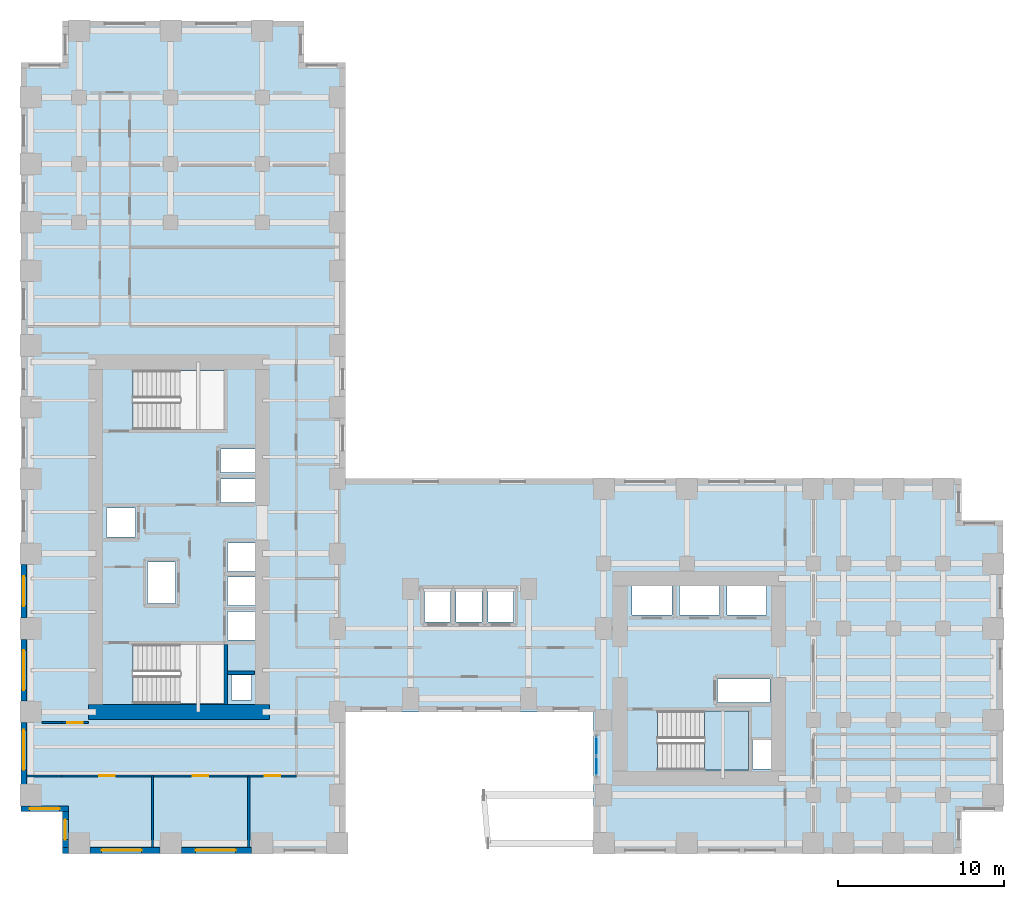
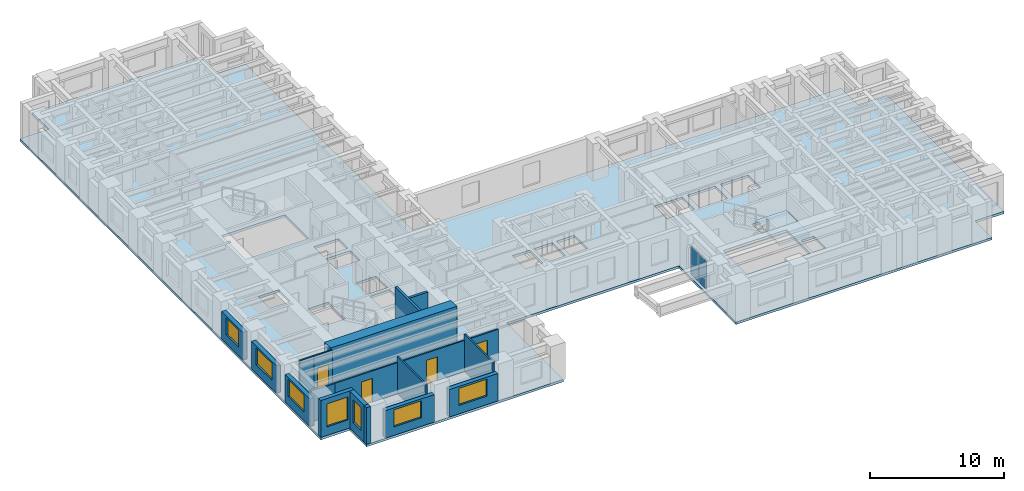
# One storey, part 6 of 14: 19 walls, 7 windows, 4 doors, 2 plates, 2 slabs, 11 openings, 2 elements without a shape of their own.
"""IFC4 building model written with IfcOpenShell, lengths in metres."""

from ifc_helpers import new_model, si_unit, direction, frame, frame_2d, origin, origin_2d, place, context, subcontext, project, spatial, polyline, rectangle, outline, extrude, source, transform, mapped, material, layer, layer_set, type_object, element, fill, aggregate, save


model = new_model("IFC4")

# Units and contexts
model_context = context("Model", 3, precision=1e-05, world=origin(), true_north=direction((0.0, 1.0)))
body_context = subcontext(model_context, "Body", "Model", "MODEL_VIEW")
ifc_project = project(units=[si_unit("LENGTHUNIT", "METRE"), si_unit("AREAUNIT", "SQUARE_METRE"), si_unit("VOLUMEUNIT", "CUBIC_METRE"), si_unit("PLANEANGLEUNIT", "RADIAN"), si_unit("MASSUNIT", "GRAM", prefix="KILO")], contexts=[model_context])

# Site, building, storey
site_placement = place(None, origin())
site = spatial("IfcSite", under=ifc_project, at=site_placement, CompositionType="ELEMENT")
building_placement = place(site_placement, origin())
building = spatial("IfcBuilding", under=site, at=building_placement, Name="Kharzan Plaza Tower", CompositionType="ELEMENT")
storey_placement = place(building_placement, frame((0.0, 0.0, 44.10009765625)))
storey = spatial("IfcBuildingStorey", under=building, at=storey_placement, Name="L11", CompositionType="ELEMENT", Elevation=44.10009765625)

# Slab
ifc_material_1 = material(Name="Concrete C40/50", Category="concrete")
ifc_layer_1 = layer(ifc_material_1, 0.219970703125)
ifc_layer_set_1 = layer_set([ifc_layer_1], Name="Concrete C40/50")
slab_type_1 = type_object("IfcSlabType", Name="SL-FLOOR-220", PredefinedType="FLOOR", material=ifc_layer_set_1)
slab_1_placement = place(storey_placement, frame((0.0, 0.0, -0.22021484375)))
element("IfcSlab", 1, at=slab_1_placement, inside=storey, type_object=slab_type_1, Name="L11 Composite Structural Floor Slab 220 mm", PredefinedType="FLOOR", context=body_context, shape_type="SweptSolid", body=[
    extrude(outline(polyline([(34.39990234375, 22.5), (19.5, 22.5), (19.5, 47.5), (17.0, 47.5), (17.0, 50.0), (2.5, 50.0), (2.5, 47.5), (0.0, 47.5), (0.0, 2.5), (2.5, 2.5), (2.5, 0.0), (19.5, 0.0), (19.5, 8.5), (34.39990234375, 8.5), (34.39990234375, 0.0), (56.5, 0.0), (56.5, 2.5), (59.0, 2.5), (59.0, 20.0), (56.5, 20.0), (56.5, 22.5), (34.39990234375, 22.5)]), holes=[polyline([(13.85009765625, 9.199951171875), (13.85009765625, 10.699951171875), (12.64990234375, 10.699951171875), (12.64990234375, 9.199951171875), (13.85009765625, 9.199951171875)]), polyline([(12.199951171875, 9.0), (12.199951171875, 12.550048828125), (6.75, 12.550048828125), (6.75, 9.0), (12.199951171875, 9.0)]), polyline([(14.10009765625, 12.800048828125), (14.10009765625, 14.530029296875), (12.39990234375, 14.530029296875), (12.39990234375, 12.800048828125), (14.10009765625, 12.800048828125)]), polyline([(14.10009765625, 14.8701171875), (14.10009765625, 16.60009765625), (12.39990234375, 16.60009765625), (12.39990234375, 14.8701171875), (14.10009765625, 14.8701171875)]), polyline([(9.300048828125, 15.0), (9.300048828125, 17.5), (7.60009765625, 17.5), (7.60009765625, 15.0), (9.300048828125, 15.0)]), polyline([(14.10009765625, 16.93994140625), (14.10009765625, 18.64990234375), (12.39990234375, 18.64990234375), (12.39990234375, 16.93994140625), (14.10009765625, 16.93994140625)]), polyline([(6.89990234375, 19.010009765625), (6.89990234375, 20.72998046875), (5.14990234375, 20.72998046875), (5.14990234375, 19.010009765625), (6.89990234375, 19.010009765625)]), polyline([(12.0, 21.070068359375), (14.10009765625, 21.070068359375), (14.10009765625, 22.489990234375), (12.0, 22.489990234375), (12.0, 21.070068359375)]), polyline([(12.0, 22.8701171875), (14.10009765625, 22.8701171875), (14.10009765625, 24.2900390625), (12.0, 24.2900390625), (12.0, 22.8701171875)]), polyline([(12.199951171875, 25.449951171875), (12.199951171875, 29.0), (6.75, 29.0), (6.75, 25.449951171875), (12.199951171875, 25.449951171875)]), polyline([(45.050048828125, 5.050048828125), (45.050048828125, 6.800048828125), (43.949951171875, 6.800048828125), (43.949951171875, 5.050048828125), (45.050048828125, 5.050048828125)]), polyline([(43.699951171875, 5.0), (43.699951171875, 8.550048828125), (38.25, 8.550048828125), (38.25, 5.0), (43.699951171875, 5.0)]), polyline([(41.85009765625, 9.070068359375), (45.0, 9.070068359375), (45.0, 10.469970703125), (41.85009765625, 10.469970703125), (41.85009765625, 9.070068359375)]), polyline([(24.25, 13.89990234375), (25.800048828125, 13.89990234375), (25.800048828125, 15.85009765625), (24.25, 15.85009765625), (24.25, 13.89990234375)]), polyline([(27.699951171875, 13.89990234375), (27.699951171875, 15.85009765625), (26.14990234375, 15.85009765625), (26.14990234375, 13.89990234375), (27.699951171875, 13.89990234375)]), polyline([(29.60009765625, 13.89990234375), (29.60009765625, 15.85009765625), (28.050048828125, 15.85009765625), (28.050048828125, 13.89990234375), (29.60009765625, 13.89990234375)]), polyline([(39.10009765625, 14.300048828125), (39.10009765625, 16.14990234375), (36.699951171875, 16.14990234375), (36.699951171875, 14.300048828125), (39.10009765625, 14.300048828125)]), polyline([(39.550048828125, 14.300048828125), (41.949951171875, 14.300048828125), (41.949951171875, 16.14990234375), (39.550048828125, 16.14990234375), (39.550048828125, 14.300048828125)]), polyline([(42.39990234375, 14.300048828125), (44.800048828125, 14.300048828125), (44.800048828125, 16.14990234375), (42.39990234375, 16.14990234375), (42.39990234375, 14.300048828125)])]), origin(), (0.0, 0.0, 1.0), 0.22021484375),
])

# Stair, slab
stair_type = type_object("IfcStairType", Name="STR-ST-3", PredefinedType="HALF_TURN_STAIR", material=ifc_material_1)
stair_placement = place(storey_placement, origin())
stair = element("IfcStair", 2, at=stair_placement, inside=storey, type_object=stair_type, Name="L11 Protected Exit Stair ST-3", PredefinedType="HALF_TURN_STAIR")
ifc_layer_2 = layer(ifc_material_1, 0.219970703125)
ifc_layer_set_2 = layer_set([ifc_layer_2], Name="Concrete C40/50")
slab_type_2 = type_object("IfcSlabType", Name="SL-LANDING-220", PredefinedType="LANDING", material=ifc_layer_set_2)
slab_2_placement = place(storey_placement, frame((0.0, 0.0, 1.599853515625)))
slab_2 = element("IfcSlab", 3, at=slab_2_placement, type_object=slab_type_2, Name="ST-3 landing 1", PredefinedType="LANDING", context=body_context, shape_type="SweptSolid", body=[
    extrude(outline(polyline([(41.050048828125, 5.0), (43.699951171875, 5.0), (43.699951171875, 8.550048828125), (41.050048828125, 8.550048828125), (41.050048828125, 5.0)])), origin(), (0.0, 0.0, 1.0), 0.199951171875),
])
aggregate(stair, [slab_2])

# Curtain wall, plates
ifc_material_2 = material(Name="Unitised Bronze-Anodized Aluminium and Low-E Glass", Category="aluminium")
ifc_layer_3 = layer(ifc_material_2, 0.199951171875)
ifc_layer_set_3 = layer_set([ifc_layer_3], Name="Unitised Bronze-Anodized Aluminium and Low-E Glass")
curtain_wall_type = type_object("IfcCurtainWallType", Name="CW-SLOT-3", PredefinedType="NOTDEFINED", material=ifc_layer_set_3)
curtain_wall_placement = place(storey_placement, origin())
curtain_wall = element("IfcCurtainWall", 4, at=curtain_wall_placement, inside=storey, type_object=curtain_wall_type, Name="L11 East Slot Recessed Spine Curtain Wall", PredefinedType="NOTDEFINED")
ifc_material_3 = material(Name="Dark Solar-Control Double Glazing", Category="glass")
ifc_layer_4 = layer(ifc_material_3, 0.031982421875)
ifc_layer_set_4 = layer_set([ifc_layer_4], Name="Dark Solar-Control Double Glazing")
plate_type = type_object("IfcPlateType", Name="PLT-CW-GLASS", PredefinedType="CURTAIN_PANEL", material=ifc_layer_set_4)
shared_shape_1 = source(origin(), body_context, "Body", "SweptSolid", [
    extrude(rectangle(XDim=1.080078125, YDim=0.031982421875, at=origin_2d()), origin(), (0.0, 0.0, 1.0), 2.5400390625),
])
plate_1_placement = place(storey_placement, frame((34.580078125, 5.25, 0.079833984375), z_axis=(0.0, 0.0, 1.0), x_axis=(0.0, 1.0, 0.0)))
plate_1 = element("IfcPlate", 5, at=plate_1_placement, type_object=plate_type, Name="L11 Curtain-Wall Glazed Panel 00", PredefinedType="CURTAIN_PANEL", context=body_context, shape_type="MappedRepresentation", body=[
    mapped(shared_shape_1, transform((0.0, 0.0, 0.0), x_axis=(1.0, 0.0, 0.0), y_axis=(0.0, 1.0, 0.0), z_axis=(0.0, 0.0, 1.0))),
])
plate_2_placement = place(storey_placement, frame((34.580078125, 6.449951171875, 0.079833984375), z_axis=(0.0, 0.0, 1.0), x_axis=(0.0, 1.0, 0.0)))
plate_2 = element("IfcPlate", 6, at=plate_2_placement, type_object=plate_type, Name="L11 Curtain-Wall Glazed Panel 01", PredefinedType="CURTAIN_PANEL", context=body_context, shape_type="MappedRepresentation", body=[
    mapped(shared_shape_1, transform((0.0, 0.0, 0.0), x_axis=(1.0, 0.0, 0.0), y_axis=(0.0, 1.0, 0.0), z_axis=(0.0, 0.0, 1.0))),
])
aggregate(curtain_wall, [plate_1, plate_2])

# Wall, opening, window
ifc_layer_5 = layer(ifc_material_1, 0.35009765625)
ifc_layer_set_5 = layer_set([ifc_layer_5], Name="Concrete C40/50")
wall_type_1 = type_object("IfcWallType", Name="WL-EXT-MAS-Z1", PredefinedType="SOLIDWALL", material=ifc_layer_set_5)
wall_1_placement = place(storey_placement, frame((0.175048828125, 17.35205078125, 0.0), z_axis=(0.0, 0.0, 1.0), x_axis=(0.0, -1.0, 0.0)))
wall_1 = element("IfcWall", 7, at=wall_1_placement, inside=storey, type_object=wall_type_1, Name="L11 Masonry-Frame Exterior Wall 17", PredefinedType="SOLIDWALL", context=body_context, shape_type="SweptSolid", body=[
    extrude(rectangle(XDim=3.2041015625, YDim=0.35009765625, at=frame_2d((1.60205078125, 0.0))), origin(), (0.0, 0.0, 1.0), 2.510009765625),
])
opening_1_placement = place(wall_1_placement, frame((0.701904296875, 0.0, 0.780029296875)))
opening_1 = element("IfcOpeningElement", 8, at=opening_1_placement, cuts=wall_1, Name="Opening W1", PredefinedType="OPENING", context=body_context, shape_type="SweptSolid", body=[
    extrude(rectangle(XDim=1.800048828125, YDim=1.550048828125, at=frame_2d((0.89990234375, 0.77490234375))), frame((0.0, 0.18505859375, 0.0), z_axis=(0.0, -1.0, 0.0), x_axis=(1.0, 0.0, 0.0)), (0.0, 0.0, 1.0), 0.3701171875),
])
ifc_material_4 = material(Name="Low-E Double Glazing", Category="glass")
window_type_1 = type_object("IfcWindowType", Name="WN-REC-1800x2100", PartitioningType="SINGLE_PANEL", PredefinedType="WINDOW", material=ifc_material_4)
shared_shape_2 = source(origin(), body_context, "Body", "SweptSolid", [
    extrude(rectangle(XDim=1.800048828125, YDim=1.550048828125, at=frame_2d((0.89990234375, 0.77490234375))), frame((0.0, 0.030029296875, 0.0), z_axis=(0.0, -1.0, 0.0), x_axis=(1.0, 0.0, 0.0)), (0.0, 0.0, 1.0), 0.06005859375),
])
window_1_placement = place(opening_1_placement, origin())
window_1 = element("IfcWindow", 9, at=window_1_placement, inside=storey, type_object=window_type_1, Name="L11 Recessed Solar-Control Window 17-1", OverallHeight=1.550048828125, OverallWidth=1.800048828125, PartitioningType="SINGLE_PANEL", PredefinedType="WINDOW", context=body_context, shape_type="MappedRepresentation", body=[
    mapped(shared_shape_2, transform((0.0, 0.0, 0.0), x_axis=(1.0, 0.0, 0.0), y_axis=(0.0, 1.0, 0.0), z_axis=(0.0, 0.0, 1.0))),
])
fill(opening_1, window_1)

wall_2_placement = place(storey_placement, frame((0.175048828125, 12.85205078125, 0.0), z_axis=(0.0, 0.0, 1.0), x_axis=(0.0, -1.0, 0.0)))
wall_2 = element("IfcWall", 10, at=wall_2_placement, inside=storey, type_object=wall_type_1, Name="L11 Masonry-Frame Exterior Wall 18", PredefinedType="SOLIDWALL", context=body_context, shape_type="SweptSolid", body=[
    extrude(rectangle(XDim=3.7041015625, YDim=0.35009765625, at=frame_2d((1.85205078125, 0.0))), origin(), (0.0, 0.0, 1.0), 2.510009765625),
])
opening_2_placement = place(wall_2_placement, frame((0.652099609375, 0.0, 0.780029296875)))
opening_2 = element("IfcOpeningElement", 11, at=opening_2_placement, cuts=wall_2, Name="Opening W2", PredefinedType="OPENING", context=body_context, shape_type="SweptSolid", body=[
    extrude(rectangle(XDim=2.39990234375, YDim=1.550048828125, at=frame_2d((1.199951171875, 0.77490234375))), frame((0.0, 0.18505859375, 0.0), z_axis=(0.0, -1.0, 0.0), x_axis=(1.0, 0.0, 0.0)), (0.0, 0.0, 1.0), 0.3701171875),
])
window_type_2 = type_object("IfcWindowType", Name="WN-REC-2400x2100", PartitioningType="SINGLE_PANEL", PredefinedType="WINDOW", material=ifc_material_4)
shared_shape_3 = source(origin(), body_context, "Body", "SweptSolid", [
    extrude(rectangle(XDim=2.39990234375, YDim=1.550048828125, at=frame_2d((1.199951171875, 0.77490234375))), frame((0.0, 0.030029296875, 0.0), z_axis=(0.0, -1.0, 0.0), x_axis=(1.0, 0.0, 0.0)), (0.0, 0.0, 1.0), 0.06005859375),
])
window_2_placement = place(opening_2_placement, origin())
window_2 = element("IfcWindow", 12, at=window_2_placement, inside=storey, type_object=window_type_2, Name="L11 Wide Recessed Solar-Control Window 18-1", OverallHeight=1.550048828125, OverallWidth=2.39990234375, PartitioningType="SINGLE_PANEL", PredefinedType="WINDOW", context=body_context, shape_type="MappedRepresentation", body=[
    mapped(shared_shape_3, transform((0.0, 0.0, 0.0), x_axis=(1.0, 0.0, 0.0), y_axis=(0.0, 1.0, 0.0), z_axis=(0.0, 0.0, 1.0))),
])
fill(opening_2, window_2)

wall_3_placement = place(storey_placement, frame((0.175048828125, 7.85205078125, 0.0), z_axis=(0.0, 0.0, 1.0), x_axis=(0.0, -1.0, 0.0)))
wall_3 = element("IfcWall", 13, at=wall_3_placement, inside=storey, type_object=wall_type_1, Name="L11 Masonry-Frame Exterior Wall 19", PredefinedType="SOLIDWALL", context=body_context, shape_type="SweptSolid", body=[
    extrude(rectangle(XDim=3.7041015625, YDim=0.35009765625, at=frame_2d((1.85205078125, 0.0))), origin(), (0.0, 0.0, 1.0), 2.510009765625),
])
opening_3_placement = place(wall_3_placement, frame((0.43603515625, 0.0, 0.780029296875)))
opening_3 = element("IfcOpeningElement", 14, at=opening_3_placement, cuts=wall_3, Name="Opening W2", PredefinedType="OPENING", context=body_context, shape_type="SweptSolid", body=[
    extrude(rectangle(XDim=2.39990234375, YDim=1.550048828125, at=frame_2d((1.199951171875, 0.77490234375))), frame((0.0, 0.18505859375, 0.0), z_axis=(0.0, -1.0, 0.0), x_axis=(1.0, 0.0, 0.0)), (0.0, 0.0, 1.0), 0.3701171875),
])
window_3_placement = place(opening_3_placement, origin())
window_3 = element("IfcWindow", 15, at=window_3_placement, inside=storey, type_object=window_type_2, Name="L11 Wide Recessed Solar-Control Window 19-1", OverallHeight=1.550048828125, OverallWidth=2.39990234375, PartitioningType="SINGLE_PANEL", PredefinedType="WINDOW", context=body_context, shape_type="MappedRepresentation", body=[
    mapped(shared_shape_3, transform((0.0, 0.0, 0.0), x_axis=(1.0, 0.0, 0.0), y_axis=(0.0, 1.0, 0.0), z_axis=(0.0, 0.0, 1.0))),
])
fill(opening_3, window_3)

wall_4_placement = place(storey_placement, frame((0.0, 2.675048828125, 0.0), z_axis=(0.0, 0.0, 1.0), x_axis=(1.0, 0.0, 0.0)))
wall_4 = element("IfcWall", 16, at=wall_4_placement, inside=storey, type_object=wall_type_1, Name="L11 Masonry-Frame Exterior Wall 20", PredefinedType="SOLIDWALL", context=body_context, shape_type="SweptSolid", body=[
    extrude(rectangle(XDim=2.85009765625, YDim=0.35009765625, at=frame_2d((1.425048828125, 0.0))), origin(), (0.0, 0.0, 1.0), 3.364990234375),
])
opening_4_placement = place(wall_4_placement, frame((0.52490234375, 0.0, 0.780029296875)))
opening_4 = element("IfcOpeningElement", 17, at=opening_4_placement, cuts=wall_4, Name="Opening W1", PredefinedType="OPENING", context=body_context, shape_type="SweptSolid", body=[
    extrude(rectangle(XDim=1.800048828125, YDim=2.10009765625, at=frame_2d((0.89990234375, 1.050048828125))), frame((0.0, 0.18505859375, 0.0), z_axis=(0.0, -1.0, 0.0), x_axis=(1.0, 0.0, 0.0)), (0.0, 0.0, 1.0), 0.3701171875),
])
shared_shape_4 = source(origin(), body_context, "Body", "SweptSolid", [
    extrude(rectangle(XDim=1.800048828125, YDim=2.10009765625, at=frame_2d((0.89990234375, 1.050048828125))), frame((0.0, 0.030029296875, 0.0), z_axis=(0.0, -1.0, 0.0), x_axis=(1.0, 0.0, 0.0)), (0.0, 0.0, 1.0), 0.06005859375),
])
window_4_placement = place(opening_4_placement, origin())
window_4 = element("IfcWindow", 18, at=window_4_placement, inside=storey, type_object=window_type_1, Name="L11 Recessed Solar-Control Window 20-1", OverallHeight=2.10009765625, OverallWidth=1.800048828125, PartitioningType="SINGLE_PANEL", PredefinedType="WINDOW", context=body_context, shape_type="MappedRepresentation", body=[
    mapped(shared_shape_4, transform((0.0, 0.0, 0.0), x_axis=(1.0, 0.0, 0.0), y_axis=(0.0, 1.0, 0.0), z_axis=(0.0, 0.0, 1.0))),
])
fill(opening_4, window_4)

wall_5_placement = place(storey_placement, frame((2.675048828125, 2.501953125, 0.0), z_axis=(0.0, 0.0, 1.0), x_axis=(0.0, -1.0, 0.0)))
wall_5 = element("IfcWall", 19, at=wall_5_placement, inside=storey, type_object=wall_type_1, Name="L11 Masonry-Frame Exterior Wall 21", PredefinedType="SOLIDWALL", context=body_context, shape_type="SweptSolid", body=[
    extrude(rectangle(XDim=2.154052734375, YDim=0.35009765625, at=frame_2d((1.0771484375, 0.0))), origin(), (0.0, 0.0, 1.0), 3.364990234375),
])
opening_5_placement = place(wall_5_placement, frame((0.47705078125, 0.0, 0.780029296875)))
opening_5 = element("IfcOpeningElement", 20, at=opening_5_placement, cuts=wall_5, Name="Opening W3", PredefinedType="OPENING", context=body_context, shape_type="SweptSolid", body=[
    extrude(rectangle(XDim=1.199951171875, YDim=2.10009765625, at=frame_2d((0.60009765625, 1.050048828125))), frame((0.0, 0.18505859375, 0.0), z_axis=(0.0, -1.0, 0.0), x_axis=(1.0, 0.0, 0.0)), (0.0, 0.0, 1.0), 0.3701171875),
])
window_type_3 = type_object("IfcWindowType", Name="WN-REC-1200x2100", PartitioningType="SINGLE_PANEL", PredefinedType="WINDOW", material=ifc_material_4)
shared_shape_5 = source(origin(), body_context, "Body", "SweptSolid", [
    extrude(rectangle(XDim=1.199951171875, YDim=2.10009765625, at=frame_2d((0.60009765625, 1.050048828125))), frame((0.0, 0.030029296875, 0.0), z_axis=(0.0, -1.0, 0.0), x_axis=(1.0, 0.0, 0.0)), (0.0, 0.0, 1.0), 0.06005859375),
])
window_5_placement = place(opening_5_placement, origin())
window_5 = element("IfcWindow", 21, at=window_5_placement, inside=storey, type_object=window_type_3, Name="L11 Recessed Solar-Control Window 21-1", OverallHeight=2.10009765625, OverallWidth=1.199951171875, PartitioningType="SINGLE_PANEL", PredefinedType="WINDOW", context=body_context, shape_type="MappedRepresentation", body=[
    mapped(shared_shape_5, transform((0.0, 0.0, 0.0), x_axis=(1.0, 0.0, 0.0), y_axis=(0.0, 1.0, 0.0), z_axis=(0.0, 0.0, 1.0))),
])
fill(opening_5, window_5)

wall_6_placement = place(storey_placement, frame((4.14794921875, 0.175048828125, 0.0), z_axis=(0.0, 0.0, 1.0), x_axis=(1.0, 0.0, 0.0)))
wall_6 = element("IfcWall", 22, at=wall_6_placement, inside=storey, type_object=wall_type_1, Name="L11 Masonry-Frame Exterior Wall 23", PredefinedType="SOLIDWALL", context=body_context, shape_type="SweptSolid", body=[
    extrude(rectangle(XDim=4.2041015625, YDim=0.35009765625, at=frame_2d((2.10205078125, 0.0))), origin(), (0.0, 0.0, 1.0), 2.510009765625),
])
opening_6_placement = place(wall_6_placement, frame((0.708984375, 0.0, 0.780029296875)))
opening_6 = element("IfcOpeningElement", 23, at=opening_6_placement, cuts=wall_6, Name="Opening W2", PredefinedType="OPENING", context=body_context, shape_type="SweptSolid", body=[
    extrude(rectangle(XDim=2.39990234375, YDim=1.550048828125, at=frame_2d((1.199951171875, 0.77490234375))), frame((0.0, 0.18505859375, 0.0), z_axis=(0.0, -1.0, 0.0), x_axis=(1.0, 0.0, 0.0)), (0.0, 0.0, 1.0), 0.3701171875),
])
window_6_placement = place(opening_6_placement, origin())
window_6 = element("IfcWindow", 24, at=window_6_placement, inside=storey, type_object=window_type_2, Name="L11 Wide Recessed Solar-Control Window 23-1", OverallHeight=1.550048828125, OverallWidth=2.39990234375, PartitioningType="SINGLE_PANEL", PredefinedType="WINDOW", context=body_context, shape_type="MappedRepresentation", body=[
    mapped(shared_shape_3, transform((0.0, 0.0, 0.0), x_axis=(1.0, 0.0, 0.0), y_axis=(0.0, 1.0, 0.0), z_axis=(0.0, 0.0, 1.0))),
])
fill(opening_6, window_6)

wall_7_placement = place(storey_placement, frame((9.64794921875, 0.175048828125, 0.0), z_axis=(0.0, 0.0, 1.0), x_axis=(1.0, 0.0, 0.0)))
wall_7 = element("IfcWall", 25, at=wall_7_placement, inside=storey, type_object=wall_type_1, Name="L11 Masonry-Frame Exterior Wall 24", PredefinedType="SOLIDWALL", context=body_context, shape_type="SweptSolid", body=[
    extrude(rectangle(XDim=4.2041015625, YDim=0.35009765625, at=frame_2d((2.10205078125, 0.0))), origin(), (0.0, 0.0, 1.0), 2.510009765625),
])
opening_7_placement = place(wall_7_placement, frame((0.85498046875, 0.0, 0.780029296875)))
opening_7 = element("IfcOpeningElement", 26, at=opening_7_placement, cuts=wall_7, Name="Opening W2", PredefinedType="OPENING", context=body_context, shape_type="SweptSolid", body=[
    extrude(rectangle(XDim=2.39990234375, YDim=1.550048828125, at=frame_2d((1.199951171875, 0.77490234375))), frame((0.0, 0.18505859375, 0.0), z_axis=(0.0, -1.0, 0.0), x_axis=(1.0, 0.0, 0.0)), (0.0, 0.0, 1.0), 0.3701171875),
])
window_7_placement = place(opening_7_placement, origin())
window_7 = element("IfcWindow", 27, at=window_7_placement, inside=storey, type_object=window_type_2, Name="L11 Wide Recessed Solar-Control Window 24-1", OverallHeight=1.550048828125, OverallWidth=2.39990234375, PartitioningType="SINGLE_PANEL", PredefinedType="WINDOW", context=body_context, shape_type="MappedRepresentation", body=[
    mapped(shared_shape_3, transform((0.0, 0.0, 0.0), x_axis=(1.0, 0.0, 0.0), y_axis=(0.0, 1.0, 0.0), z_axis=(0.0, 0.0, 1.0))),
])
fill(opening_7, window_7)

# Wall, opening, door
ifc_material_5 = material(Name="Fire-Rated Gypsum Board Partition", Category="gypsum")
ifc_layer_6 = layer(ifc_material_5, 0.125)
ifc_layer_set_6 = layer_set([ifc_layer_6], Name="Fire-Rated Gypsum Board Partition")
wall_type_2 = type_object("IfcWallType", Name="WL-INT-PART-125", PredefinedType="PARTITIONING", material=ifc_layer_set_6)
wall_8_placement = place(storey_placement, frame((2.449951171875, 7.85009765625, 0.0), z_axis=(0.0, 0.0, 1.0), x_axis=(1.0, 0.0, 0.0)))
wall_8 = element("IfcWall", 28, at=wall_8_placement, inside=storey, type_object=wall_type_2, Name="L11 Interior Partition SH-RWSD", PredefinedType="PARTITIONING", context=body_context, shape_type="SweptSolid", body=[
    extrude(rectangle(XDim=1.60009765625, YDim=0.125, at=frame_2d((0.800048828125, 0.0))), origin(), (0.0, 0.0, 1.0), 3.364990234375),
])
opening_8_placement = place(wall_8_placement, frame((0.324951171875, 0.0, 0.0)))
opening_8 = element("IfcOpeningElement", 29, at=opening_8_placement, cuts=wall_8, Name="Opening OD1", PredefinedType="OPENING", context=body_context, shape_type="SweptSolid", body=[
    extrude(rectangle(XDim=0.949951171875, YDim=2.14990234375, at=frame_2d((0.47509765625, 1.074951171875))), frame((0.0, 0.072509765625, 0.0), z_axis=(0.0, -1.0, 0.0), x_axis=(1.0, 0.0, 0.0)), (0.0, 0.0, 1.0), 0.14501953125),
])
ifc_material_6 = material(Name="Acoustic Solid-Core Stained Oak", Category="timber")
door_type = type_object("IfcDoorType", Name="DR-OFF-SINGLE", OperationType="NOTDEFINED", PredefinedType="DOOR", material=ifc_material_6)
shared_shape_6 = source(origin(), body_context, "Body", "SweptSolid", [
    extrude(rectangle(XDim=0.949951171875, YDim=2.14990234375, at=frame_2d((0.47509765625, 1.074951171875))), frame((0.0, 0.02490234375, 0.0), z_axis=(0.0, -1.0, 0.0), x_axis=(1.0, 0.0, 0.0)), (0.0, 0.0, 1.0), 0.050048828125),
])
door_1_placement = place(opening_8_placement, origin())
door_1 = element("IfcDoor", 30, at=door_1_placement, inside=storey, type_object=door_type, Name="L11 West Studio South Door", OperationType="SINGLE_SWING_LEFT", OverallHeight=2.14990234375, OverallWidth=0.949951171875, PredefinedType="DOOR", context=body_context, shape_type="MappedRepresentation", body=[
    mapped(shared_shape_6, transform((0.0, 0.0, 0.0), x_axis=(1.0, 0.0, 0.0), y_axis=(0.0, 1.0, 0.0), z_axis=(0.0, 0.0, 1.0))),
])
fill(opening_8, door_1)

wall_9_placement = place(storey_placement, frame((2.449951171875, 4.64990234375, 0.0), z_axis=(0.0, 0.0, 1.0), x_axis=(1.0, 0.0, 0.0)))
wall_9 = element("IfcWall", 31, at=wall_9_placement, inside=storey, type_object=wall_type_2, Name="L11 Interior Partition SH-SS-1", PredefinedType="PARTITIONING", context=body_context, shape_type="SweptSolid", body=[
    extrude(rectangle(XDim=5.446044921875, YDim=0.125, at=frame_2d((2.72314453125, 0.0))), origin(), (0.0, 0.0, 1.0), 2.827880859375),
])
opening_9_placement = place(wall_9_placement, frame((2.248046875, 0.0, 0.0)))
opening_9 = element("IfcOpeningElement", 32, at=opening_9_placement, cuts=wall_9, Name="Opening OD1", PredefinedType="OPENING", context=body_context, shape_type="SweptSolid", body=[
    extrude(rectangle(XDim=0.949951171875, YDim=2.14990234375, at=frame_2d((0.47509765625, 1.074951171875))), frame((0.0, 0.072509765625, 0.0), z_axis=(0.0, -1.0, 0.0), x_axis=(1.0, 0.0, 0.0)), (0.0, 0.0, 1.0), 0.14501953125),
])
door_2_placement = place(opening_9_placement, origin())
door_2 = element("IfcDoor", 33, at=door_2_placement, inside=storey, type_object=door_type, Name="L11 Departmental Office Door", OperationType="SINGLE_SWING_RIGHT", OverallHeight=2.14990234375, OverallWidth=0.949951171875, PredefinedType="DOOR", context=body_context, shape_type="MappedRepresentation", body=[
    mapped(shared_shape_6, transform((0.0, 0.0, 0.0), x_axis=(1.0, 0.0, 0.0), y_axis=(0.0, 1.0, 0.0), z_axis=(0.0, 0.0, 1.0))),
])
fill(opening_9, door_2)

wall_10_placement = place(storey_placement, frame((7.89599609375, 4.64990234375, 0.0), z_axis=(0.0, 0.0, 1.0), x_axis=(1.0, 0.0, 0.0)))
wall_10 = element("IfcWall", 34, at=wall_10_placement, inside=storey, type_object=wall_type_2, Name="L11 Interior Partition SH-SS-2", PredefinedType="PARTITIONING", context=body_context, shape_type="SweptSolid", body=[
    extrude(rectangle(XDim=5.7919921875, YDim=0.125, at=frame_2d((2.89599609375, 0.0))), origin(), (0.0, 0.0, 1.0), 2.827880859375),
])
opening_10_placement = place(wall_10_placement, frame((2.4208984375, 0.0, 0.0)))
opening_10 = element("IfcOpeningElement", 35, at=opening_10_placement, cuts=wall_10, Name="Opening OD1", PredefinedType="OPENING", context=body_context, shape_type="SweptSolid", body=[
    extrude(rectangle(XDim=0.949951171875, YDim=2.14990234375, at=frame_2d((0.47509765625, 1.074951171875))), frame((0.0, 0.072509765625, 0.0), z_axis=(0.0, -1.0, 0.0), x_axis=(1.0, 0.0, 0.0)), (0.0, 0.0, 1.0), 0.14501953125),
])
door_3_placement = place(opening_10_placement, origin())
door_3 = element("IfcDoor", 36, at=door_3_placement, inside=storey, type_object=door_type, Name="L11 Conference Room Door", OperationType="SINGLE_SWING_LEFT", OverallHeight=2.14990234375, OverallWidth=0.949951171875, PredefinedType="DOOR", context=body_context, shape_type="MappedRepresentation", body=[
    mapped(shared_shape_6, transform((0.0, 0.0, 0.0), x_axis=(1.0, 0.0, 0.0), y_axis=(0.0, 1.0, 0.0), z_axis=(0.0, 0.0, 1.0))),
])
fill(opening_10, door_3)

wall_11_placement = place(storey_placement, frame((13.68798828125, 4.64990234375, 0.0), z_axis=(0.0, 0.0, 1.0), x_axis=(1.0, 0.0, 0.0)))
wall_11 = element("IfcWall", 37, at=wall_11_placement, inside=storey, type_object=wall_type_2, Name="L11 Interior Partition SH-SS-3", PredefinedType="PARTITIONING", context=body_context, shape_type="SweptSolid", body=[
    extrude(rectangle(XDim=2.862060546875, YDim=0.125, at=frame_2d((1.43115234375, 0.0))), origin(), (0.0, 0.0, 1.0), 2.827880859375),
])
opening_11_placement = place(wall_11_placement, frame((0.9560546875, 0.0, 0.0)))
opening_11 = element("IfcOpeningElement", 38, at=opening_11_placement, cuts=wall_11, Name="Opening OD1", PredefinedType="OPENING", context=body_context, shape_type="SweptSolid", body=[
    extrude(rectangle(XDim=0.949951171875, YDim=2.14990234375, at=frame_2d((0.47509765625, 1.074951171875))), frame((0.0, 0.072509765625, 0.0), z_axis=(0.0, -1.0, 0.0), x_axis=(1.0, 0.0, 0.0)), (0.0, 0.0, 1.0), 0.14501953125),
])
door_4_placement = place(opening_11_placement, origin())
door_4 = element("IfcDoor", 39, at=door_4_placement, inside=storey, type_object=door_type, Name="L11 Client Briefing Room Door", OperationType="SINGLE_SWING_RIGHT", OverallHeight=2.14990234375, OverallWidth=0.949951171875, PredefinedType="DOOR", context=body_context, shape_type="MappedRepresentation", body=[
    mapped(shared_shape_6, transform((0.0, 0.0, 0.0), x_axis=(1.0, 0.0, 0.0), y_axis=(0.0, 1.0, 0.0), z_axis=(0.0, 0.0, 1.0))),
])
fill(opening_11, door_4)

# Walls
ifc_material_7 = material(Name="Concrete C60/75", Category="concrete")
ifc_layer_7 = layer(ifc_material_7, 0.89990234375)
ifc_layer_set_7 = layer_set([ifc_layer_7], Name="Concrete C60/75")
wall_type_3 = type_object("IfcWallType", Name="WL-CORE-900", PredefinedType="SHEAR", material=ifc_layer_set_7)
shared_shape_7 = source(origin(), body_context, "Body", "SweptSolid", [
    extrude(rectangle(XDim=10.89990234375, YDim=0.89990234375, at=frame_2d((5.449951171875, 0.0))), origin(), (0.0, 0.0, 1.0), 3.3798828125),
])
wall_12_placement = place(storey_placement, frame((4.050048828125, 8.5, 0.0), z_axis=(0.0, 0.0, 1.0), x_axis=(1.0, 0.0, 0.0)))
element("IfcWall", 40, at=wall_12_placement, inside=storey, type_object=wall_type_3, Name="L11 CORE-A south RC shear wall", PredefinedType="SHEAR", context=body_context, shape_type="MappedRepresentation", body=[
    mapped(shared_shape_7, transform((0.0, 0.0, 0.0), x_axis=(1.0, 0.0, 0.0), y_axis=(0.0, 1.0, 0.0), z_axis=(0.0, 0.0, 1.0))),
])
shared_shape_8 = source(origin(), body_context, "Body", "SweptSolid", [
    extrude(rectangle(XDim=0.35205078125, YDim=0.35009765625, at=frame_2d((0.176025390625, 0.0))), origin(), (0.0, 0.0, 1.0), 3.364990234375),
])
wall_13_placement = place(storey_placement, frame((2.5, 0.175048828125, 0.0), z_axis=(0.0, 0.0, 1.0), x_axis=(1.0, 0.0, 0.0)))
element("IfcWall", 41, at=wall_13_placement, inside=storey, type_object=wall_type_1, Name="L11 Masonry-Frame Exterior Wall 22", PredefinedType="SOLIDWALL", context=body_context, shape_type="MappedRepresentation", body=[
    mapped(shared_shape_8, transform((0.0, 0.0, 0.0), x_axis=(1.0, 0.0, 0.0), y_axis=(0.0, 1.0, 0.0), z_axis=(0.0, 0.0, 1.0))),
])
shared_shape_9 = source(origin(), body_context, "Body", "SweptSolid", [
    extrude(rectangle(XDim=1.18994140625, YDim=0.125, at=frame_2d((0.594970703125, 0.0))), origin(), (0.0, 0.0, 1.0), 3.364990234375),
])
wall_14_placement = place(storey_placement, frame((1.260009765625, 7.85009765625, 0.0), z_axis=(0.0, 0.0, 1.0), x_axis=(1.0, 0.0, 0.0)))
element("IfcWall", 42, at=wall_14_placement, inside=storey, type_object=wall_type_2, Name="L11 Interior Partition SH-RWS0", PredefinedType="PARTITIONING", context=body_context, shape_type="MappedRepresentation", body=[
    mapped(shared_shape_9, transform((0.0, 0.0, 0.0), x_axis=(1.0, 0.0, 0.0), y_axis=(0.0, 1.0, 0.0), z_axis=(0.0, 0.0, 1.0))),
])
shared_shape_10 = source(origin(), body_context, "Body", "SweptSolid", [
    extrude(rectangle(XDim=2.097900390625, YDim=0.125, at=frame_2d((1.048828125, 0.0))), origin(), (0.0, 0.0, 1.0), 2.827880859375),
])
wall_15_placement = place(storey_placement, frame((0.35205078125, 4.64990234375, 0.0), z_axis=(0.0, 0.0, 1.0), x_axis=(1.0, 0.0, 0.0)))
element("IfcWall", 43, at=wall_15_placement, inside=storey, type_object=wall_type_2, Name="L11 Interior Partition SH-SS-EXT", PredefinedType="PARTITIONING", context=body_context, shape_type="MappedRepresentation", body=[
    mapped(shared_shape_10, transform((0.0, 0.0, 0.0), x_axis=(1.0, 0.0, 0.0), y_axis=(0.0, 1.0, 0.0), z_axis=(0.0, 0.0, 1.0))),
])
shared_shape_11 = source(origin(), body_context, "Body", "SweptSolid", [
    extrude(rectangle(XDim=4.2978515625, YDim=0.125, at=frame_2d((2.14892578125, 0.0))), origin(), (0.0, 0.0, 1.0), 3.364990234375),
])
for number, where, z_axis, x_axis, name in (
    (44, (7.89599609375, 0.35205078125, 0.0), (0.0, 0.0, 1.0), (0.0, 1.0, 0.0), "L11 Interior Partition SH-SV-1"),
    (45, (13.68798828125, 0.35205078125, 0.0), (0.0, 0.0, 1.0), (0.0, 1.0, 0.0), "L11 Interior Partition SH-SV-2"),
):
    element("IfcWall", number, at=place(storey_placement, frame(where, z_axis=z_axis, x_axis=x_axis)), inside=storey, type_object=wall_type_2, Name=name, PredefinedType="PARTITIONING", context=body_context, shape_type="MappedRepresentation", body=[
        mapped(shared_shape_11, transform((0.0, 0.0, 0.0), x_axis=(1.0, 0.0, 0.0), y_axis=(0.0, 1.0, 0.0), z_axis=(0.0, 0.0, 1.0))),
    ])
ifc_layer_8 = layer(ifc_material_1, 0.199951171875)
ifc_layer_set_8 = layer_set([ifc_layer_8], Name="Concrete C40/50")
wall_type_4 = type_object("IfcWallType", Name="WL-INT-SHAFT-200", PredefinedType="PARTITIONING", material=ifc_layer_set_8)
shared_shape_12 = source(origin(), body_context, "Body", "SweptSolid", [
    extrude(rectangle(XDim=1.60009765625, YDim=0.199951171875, at=frame_2d((0.800048828125, 0.0))), origin(), (0.0, 0.0, 1.0), 3.364990234375),
])
wall_16_placement = place(storey_placement, frame((12.419921875, 10.85009765625, 0.0), z_axis=(0.0, 0.0, 1.0), x_axis=(1.0, 0.0, 0.0)))
element("IfcWall", 46, at=wall_16_placement, inside=storey, type_object=wall_type_4, Name="L11 Interior Partition CA-RSRA-N", PredefinedType="PARTITIONING", context=body_context, shape_type="MappedRepresentation", body=[
    mapped(shared_shape_12, transform((0.0, 0.0, 0.0), x_axis=(1.0, 0.0, 0.0), y_axis=(0.0, 1.0, 0.0), z_axis=(0.0, 0.0, 1.0))),
])
ifc_material_8 = material(Name="Concrete C50/60", Category="concrete")
ifc_layer_9 = layer(ifc_material_8, 0.199951171875)
ifc_layer_set_9 = layer_set([ifc_layer_9], Name="Concrete C50/60")
wall_type_5 = type_object("IfcWallType", Name="WL-SHAFT-RC200", PredefinedType="SHEAR", material=ifc_layer_set_9)
shared_shape_13 = source(origin(), body_context, "Body", "SweptSolid", [
    extrude(rectangle(XDim=3.60302734375, YDim=0.199951171875, at=frame_2d((1.801513671875, 0.0))), origin(), (0.0, 0.0, 1.0), 3.3798828125),
])
wall_17_placement = place(storey_placement, frame((12.304931640625, 8.951904296875, 0.0), z_axis=(0.0, 0.0, 1.0), x_axis=(0.0, 1.0, 0.0)))
element("IfcWall", 47, at=wall_17_placement, inside=storey, type_object=wall_type_5, Name="L11 Stair ST-1 East RC Shaft Wall", PredefinedType="SHEAR", context=body_context, shape_type="MappedRepresentation", body=[
    mapped(shared_shape_13, transform((0.0, 0.0, 0.0), x_axis=(1.0, 0.0, 0.0), y_axis=(0.0, 1.0, 0.0), z_axis=(0.0, 0.0, 1.0))),
])

save(model, "model.ifc")
